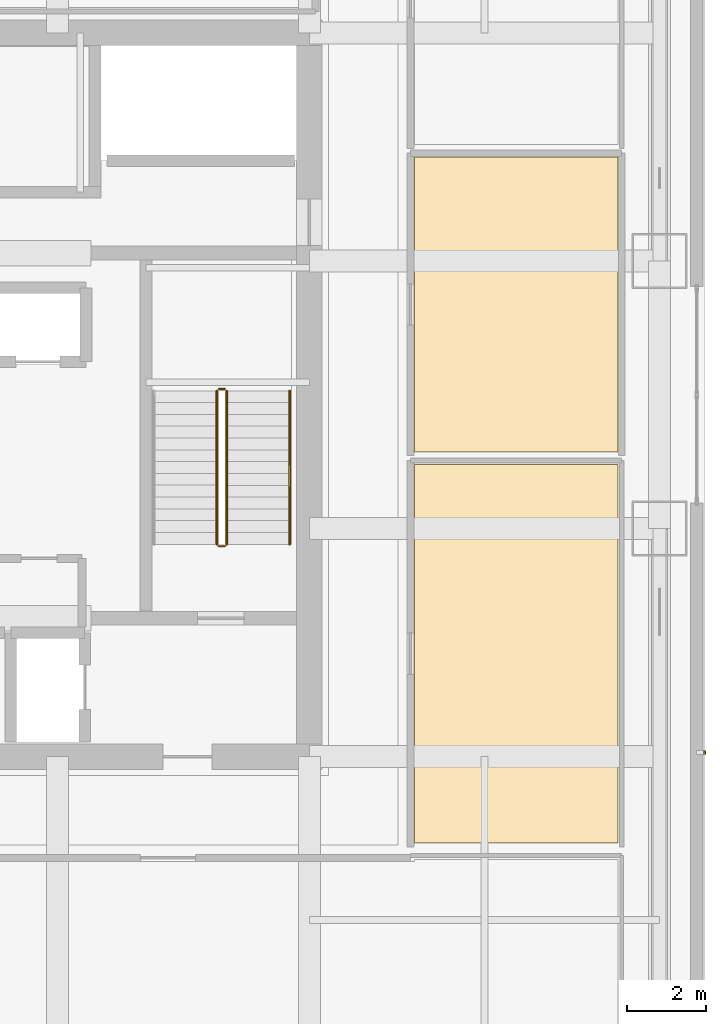
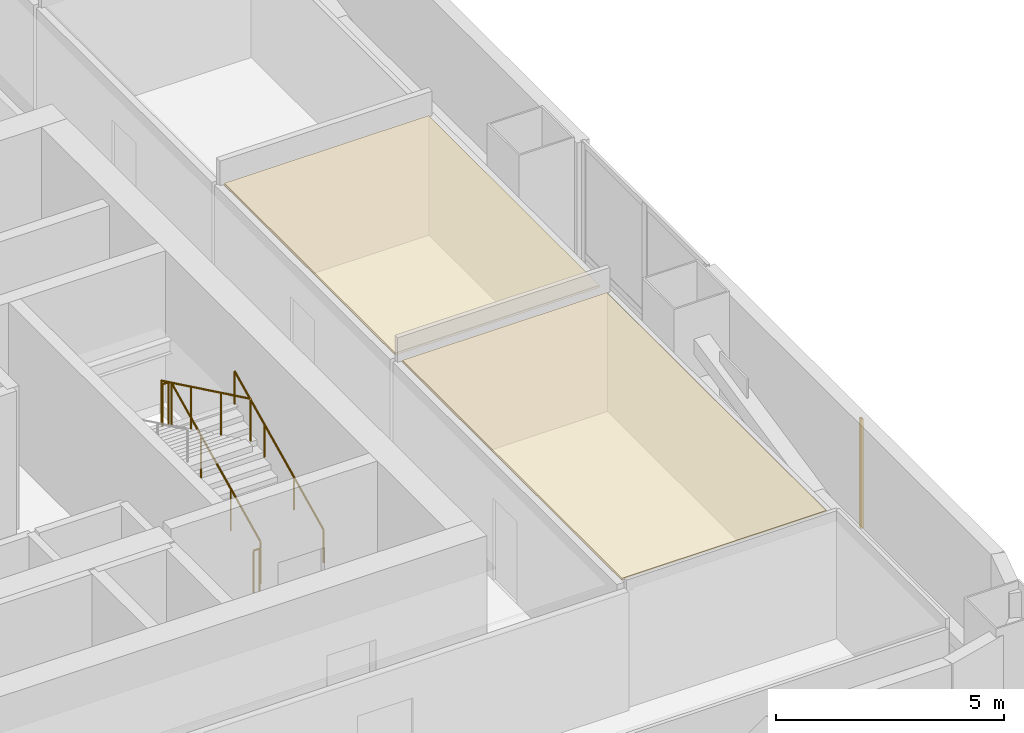
# One storey, part 28 of 32: 5 railings, 2 coverings, 1 shading device.
"""IFC4 building model written with IfcOpenShell, lengths in metres."""

from ifc_helpers import new_model, si_unit, direction, frame, origin, origin_2d, place, context, subcontext, project, spatial, polyline, hollow_rectangle, circle, outline, extrude, material, layer, layer_set, material_profile, profile_set, type_object, element, save


model = new_model("IFC4")

# Units and contexts
model_context = context("Model", 3, precision=1e-05, world=origin(), true_north=direction((0.0, 1.0)))
body_context = subcontext(model_context, "Body", "Model", "MODEL_VIEW")
ifc_project = project(units=[si_unit("LENGTHUNIT", "METRE"), si_unit("AREAUNIT", "SQUARE_METRE"), si_unit("VOLUMEUNIT", "CUBIC_METRE"), si_unit("PLANEANGLEUNIT", "RADIAN"), si_unit("MASSUNIT", "GRAM", prefix="KILO")], contexts=[model_context])

# Site, building, storey
site_placement = place(None, origin())
site = spatial("IfcSite", under=ifc_project, at=site_placement, CompositionType="ELEMENT")
building_placement = place(site_placement, origin())
building = spatial("IfcBuilding", under=site, at=building_placement, Name="Punatoya Terracotta Tower", CompositionType="ELEMENT")
storey_placement = place(building_placement, frame((0.0, 0.0, 139.800048828125)))
storey = spatial("IfcBuildingStorey", under=building, at=storey_placement, Name="L32", CompositionType="ELEMENT", Elevation=139.800048828125)

# Coverings
ifc_material_1 = material(Name="Acoustic Mineral Fibre Ceiling")
ifc_layer = layer(ifc_material_1, 0.06005859375)
ifc_layer_set = layer_set([ifc_layer], Name="Acoustic Mineral Fibre Ceiling")
covering_type = type_object("IfcCoveringType", Name="COV-CEIL-60", PredefinedType="CEILING", material=ifc_layer_set)
covering_1_placement = place(storey_placement, frame((0.0, 0.0, 3.159912109375)))
element("IfcCovering", 1, at=covering_1_placement, inside=storey, type_object=covering_type, Name="L32 Graphic Design Workplace Acoustic Ceiling", PredefinedType="CEILING", context=body_context, shape_type="SweptSolid", body=[
    extrude(outline(polyline([(12.8701171875, -1.77001953125), (12.8701171875, -11.389892578125), (18.0400390625, -11.389892578125), (18.0400390625, -1.77001953125), (12.8701171875, -1.77001953125)])), origin(), (0.0, 0.0, 1.0), 0.06005859375),
])
covering_2_placement = place(storey_placement, frame((0.0, 0.0, 3.159912109375)))
element("IfcCovering", 2, at=covering_2_placement, inside=storey, type_object=covering_type, Name="L32 Hospitality Tea Pantry Acoustic Ceiling", PredefinedType="CEILING", context=body_context, shape_type="SweptSolid", body=[
    extrude(outline(polyline([(12.8701171875, 6.0400390625), (12.8701171875, -1.449951171875), (18.0400390625, -1.449951171875), (18.0400390625, 6.0400390625), (12.8701171875, 6.0400390625)])), origin(), (0.0, 0.0, 1.0), 0.06005859375),
])

# Railings
ifc_material_2 = material(Name="Steel S355", Category="steel")
railing_type_1 = type_object("IfcRailingType", Name="RLG-GRD-1150", PredefinedType="GUARDRAIL", material=ifc_material_2)
railing_1_placement = place(storey_placement, frame((8.10009765625, -3.800048828125, 0.14453125)))
element("IfcRailing", 3, at=railing_1_placement, inside=storey, type_object=railing_type_1, Name="L32 ST-2 stair guard 1", PredefinedType="GUARDRAIL", context=body_context, shape_type="SweptSolid", body=[
    extrude(circle(Radius=0.02392578125, at=origin_2d()), frame((0.0, 0.0, 1.1259765625), z_axis=(0.0, 0.900773802044, 0.434288564841), x_axis=(-1.0, 0.0, 0.0)), (0.0, 0.0, 1.0), 4.329833984375),
    extrude(circle(Radius=0.02099609375, at=origin_2d()), origin(), (0.0, 0.0, 1.0), 1.101806640625),
    extrude(circle(Radius=0.02099609375, at=origin_2d()), frame((0.0, 1.300048828125, 0.626708984375)), (0.0, 0.0, 1.0), 1.101806640625),
    extrude(circle(Radius=0.02099609375, at=origin_2d()), frame((0.0, 2.60009765625, 1.253662109375)), (0.0, 0.0, 1.0), 1.101806640625),
    extrude(circle(Radius=0.02099609375, at=origin_2d()), frame((0.0, 3.900146484375, 1.88037109375)), (0.0, 0.0, 1.0), 1.101806640625),
])
railing_2_placement = place(storey_placement, frame((8.050048828125, 0.14990234375, 2.02490234375)))
element("IfcRailing", 4, at=railing_2_placement, inside=storey, type_object=railing_type_1, Name="L32 ST-2 stair guard 2", PredefinedType="GUARDRAIL", context=body_context, shape_type="SweptSolid", body=[
    extrude(circle(Radius=0.02392578125, at=origin_2d()), frame((0.0, 0.0, 1.1259765625), z_axis=(-1.0, 0.0, 0.0), x_axis=(0.0, -1.0, 0.0)), (0.0, 0.0, 1.0), 0.150146484375),
    extrude(circle(Radius=0.02099609375, at=origin_2d()), origin(), (0.0, 0.0, 1.0), 1.101806640625),
    extrude(circle(Radius=0.02099609375, at=origin_2d()), frame((-0.150146484375, 0.0, 0.0)), (0.0, 0.0, 1.0), 1.101806640625),
])
railing_3_placement = place(storey_placement, frame((7.85009765625, 0.10009765625, 2.169677734375)))
element("IfcRailing", 5, at=railing_3_placement, inside=storey, type_object=railing_type_1, Name="L32 ST-2 stair guard 3", PredefinedType="GUARDRAIL", context=body_context, shape_type="SweptSolid", body=[
    extrude(circle(Radius=0.02392578125, at=origin_2d()), frame((0.0, 0.0, 1.1259765625), z_axis=(0.0, -0.900773802044, 0.434288564841), x_axis=(1.0, 0.0, 0.0)), (0.0, 0.0, 1.0), 4.329833984375),
    extrude(circle(Radius=0.02099609375, at=origin_2d()), origin(), (0.0, 0.0, 1.0), 1.101806640625),
    extrude(circle(Radius=0.02099609375, at=origin_2d()), frame((0.0, -1.300048828125, 0.626708984375)), (0.0, 0.0, 1.0), 1.101806640625),
    extrude(circle(Radius=0.02099609375, at=origin_2d()), frame((0.0, -2.60009765625, 1.253662109375)), (0.0, 0.0, 1.0), 1.101806640625),
    extrude(circle(Radius=0.02099609375, at=origin_2d()), frame((0.0, -3.900146484375, 1.88037109375)), (0.0, 0.0, 1.0), 1.101806640625),
])
railing_4_placement = place(storey_placement, frame((8.050048828125, -3.85009765625, 0.0)))
element("IfcRailing", 6, at=railing_4_placement, inside=storey, type_object=railing_type_1, Name="L32 ST-2 stair guard 4", PredefinedType="GUARDRAIL", context=body_context, shape_type="SweptSolid", body=[
    extrude(circle(Radius=0.02392578125, at=origin_2d()), frame((0.0, 0.0, 1.1259765625), z_axis=(-1.0, 0.0, 0.0), x_axis=(0.0, -1.0, 0.0)), (0.0, 0.0, 1.0), 0.150146484375),
    extrude(circle(Radius=0.02099609375, at=origin_2d()), origin(), (0.0, 0.0, 1.0), 1.101806640625),
    extrude(circle(Radius=0.02099609375, at=origin_2d()), frame((-0.150146484375, 0.0, 0.0)), (0.0, 0.0, 1.0), 1.101806640625),
])
railing_type_2 = type_object("IfcRailingType", Name="RLG-HND-900", PredefinedType="HANDRAIL", material=ifc_material_2)
railing_5_placement = place(storey_placement, frame((9.699951171875, -3.800048828125, 0.14453125)))
element("IfcRailing", 7, at=railing_5_placement, inside=storey, type_object=railing_type_2, Name="L32 ST-2 stair handrail 1", PredefinedType="HANDRAIL", context=body_context, shape_type="SweptSolid", body=[
    extrude(circle(Radius=0.02392578125, at=origin_2d()), frame((0.0, 0.0, 0.8759765625), z_axis=(0.0, 0.900773802044, 0.434288564841), x_axis=(-1.0, 0.0, 0.0)), (0.0, 0.0, 1.0), 4.329833984375),
    extrude(circle(Radius=0.02099609375, at=origin_2d()), origin(), (0.0, 0.0, 1.0), 0.851806640625),
    extrude(circle(Radius=0.02099609375, at=origin_2d()), frame((0.0, 1.300048828125, 0.626708984375)), (0.0, 0.0, 1.0), 0.851806640625),
    extrude(circle(Radius=0.02099609375, at=origin_2d()), frame((0.0, 2.60009765625, 1.253662109375)), (0.0, 0.0, 1.0), 0.851806640625),
    extrude(circle(Radius=0.02099609375, at=origin_2d()), frame((0.0, 3.900146484375, 1.88037109375)), (0.0, 0.0, 1.0), 0.851806640625),
])

# Shading device
ifc_material_3 = material(Name="Architectural Fired Terracotta", Category="masonry")
ifc_material_profile = material_profile(ifc_material_3, hollow_rectangle(XDim=0.06005859375, YDim=0.090087890625, WallThickness=0.013916015625, at=origin_2d()))
ifc_profile_set = profile_set([ifc_material_profile], Name="Architectural Fired Terracotta")
shading_device_type = type_object("IfcShadingDeviceType", Name="SHD-JALI-90", PredefinedType="JALOUSIE", material=ifc_profile_set)
shading_device_placement = place(storey_placement, frame((20.25, -9.093505859375, 0.599853515625), z_axis=(0.0, 0.0, 1.0), x_axis=(1.0, 0.0, 0.0)))
element("IfcShadingDevice", 8, at=shading_device_placement, inside=storey, type_object=shading_device_type, Name="L32 Braced Bay Terracotta Jali Fin E1", PredefinedType="JALOUSIE", context=body_context, shape_type="SweptSolid", body=[
    extrude(hollow_rectangle(XDim=0.06005859375, YDim=0.090087890625, WallThickness=0.013916015625, at=origin_2d()), origin(), (0.0, 0.0, 1.0), 2.93017578125),
])

save(model, "model.ifc")
